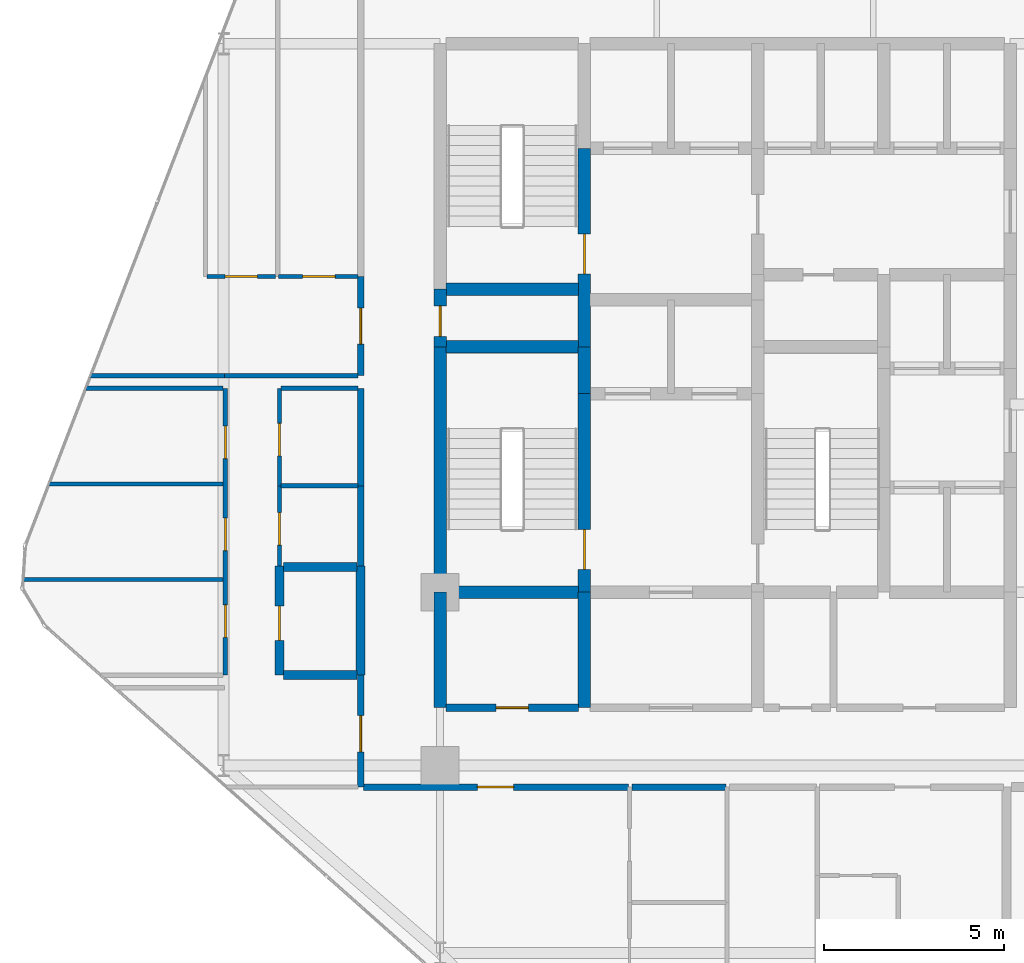
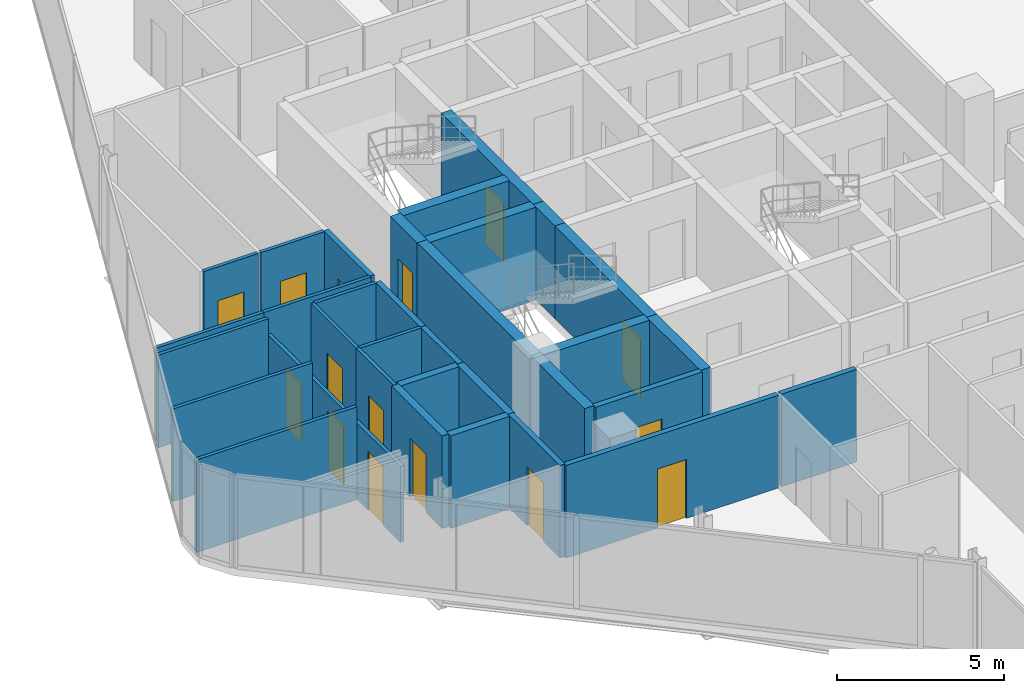
# One storey, part 24 of 30: 33 walls, 15 doors, 15 openings.
"""IFC4 building model written with IfcOpenShell, lengths in metres."""

from ifc_helpers import new_model, si_unit, direction, frame, frame_2d, origin, place, context, subcontext, project, spatial, rectangle, extrude, material, layer, layer_set, type_object, element, fill, save


model = new_model("IFC4")

# Units and contexts
model_context = context("Model", 3, precision=1e-05, world=origin(), true_north=direction((0.0, 1.0)))
body_context = subcontext(model_context, "Body", "Model", "MODEL_VIEW")
ifc_project = project(units=[si_unit("LENGTHUNIT", "METRE"), si_unit("AREAUNIT", "SQUARE_METRE"), si_unit("VOLUMEUNIT", "CUBIC_METRE"), si_unit("PLANEANGLEUNIT", "RADIAN"), si_unit("MASSUNIT", "GRAM", prefix="KILO")], contexts=[model_context])

# Site, building, storey
site_placement = place(None, origin())
site = spatial("IfcSite", under=ifc_project, at=site_placement, CompositionType="ELEMENT")
building_placement = place(site_placement, origin())
building = spatial("IfcBuilding", under=site, at=building_placement, Name="Keshet Zoharim Tower", CompositionType="ELEMENT")
storey_placement = place(building_placement, frame((0.0, 0.0, 90.89990234375)))
storey = spatial("IfcBuildingStorey", under=building, at=storey_placement, Name="L21", CompositionType="ELEMENT", Elevation=90.89990234375)

# Walls
ifc_material_1 = material(Name="Concrete C60/75", Category="concrete")
ifc_layer_1 = layer(ifc_material_1, 0.35009765625)
ifc_layer_set_1 = layer_set([ifc_layer_1], Name="Concrete C60/75")
wall_type_1 = type_object("IfcWallType", Name="WL-CORE-350", PredefinedType="SHEAR", material=ifc_layer_set_1)
wall_1_placement = place(storey_placement, frame((15.0, 19.5, 0.0), z_axis=(0.0, 0.0, 1.0), x_axis=(0.0, 1.0, 0.0)))
element("IfcWall", 1, at=wall_1_placement, inside=storey, type_object=wall_type_1, Name="L21 Core Shear Wall 015", PredefinedType="SHEAR", context=body_context, shape_type="SweptSolid", body=[
    extrude(rectangle(XDim=3.199951171875, YDim=0.35009765625, at=frame_2d((1.60009765625, 0.0))), origin(), (0.0, 0.0, 1.0), 3.385009765625),
])
wall_2_placement = place(storey_placement, frame((15.0, 22.699951171875, 0.0), z_axis=(0.0, 0.0, 1.0), x_axis=(0.0, 1.0, 0.0)))
element("IfcWall", 2, at=wall_2_placement, inside=storey, type_object=wall_type_1, Name="L21 Core Shear Wall 016", PredefinedType="SHEAR", context=body_context, shape_type="SweptSolid", body=[
    extrude(rectangle(XDim=6.800048828125, YDim=0.35009765625, at=frame_2d((3.39990234375, 0.0))), origin(), (0.0, 0.0, 1.0), 3.385009765625),
])

# Wall, opening, door
wall_3_placement = place(storey_placement, frame((15.0, 29.5, 0.0), z_axis=(0.0, 0.0, 1.0), x_axis=(0.0, 1.0, 0.0)))
wall_3 = element("IfcWall", 3, at=wall_3_placement, inside=storey, type_object=wall_type_1, Name="L21 Core Shear Wall 017", PredefinedType="SHEAR", context=body_context, shape_type="SweptSolid", body=[
    extrude(rectangle(XDim=1.60009765625, YDim=0.35009765625, at=frame_2d((0.800048828125, 0.0))), origin(), (0.0, 0.0, 1.0), 3.385009765625),
])
opening_1_placement = place(wall_3_placement, frame((0.287109375, 0.0, 0.0)))
opening_1 = element("IfcOpeningElement", 4, at=opening_1_placement, cuts=wall_3, Name="Opening D-RS85", PredefinedType="OPENING", context=body_context, shape_type="SweptSolid", body=[
    extrude(rectangle(XDim=0.85009765625, YDim=2.10009765625, at=frame_2d((0.425048828125, 1.050048828125))), frame((0.0, 0.18505859375, 0.0), z_axis=(0.0, -1.0, 0.0), x_axis=(1.0, 0.0, 0.0)), (0.0, 0.0, 1.0), 0.3701171875),
])
ifc_material_2 = material(Name="Hardwood Timber", Category="wood")
door_type_1 = type_object("IfcDoorType", Name="DR-RIS-085", OperationType="NOTDEFINED", PredefinedType="DOOR", material=ifc_material_2)
door_1_placement = place(opening_1_placement, origin())
door_1 = element("IfcDoor", 5, at=door_1_placement, inside=storey, type_object=door_type_1, Name="L21 Electrical Riser Access Cupboard Door", OperationType="SINGLE_SWING_RIGHT", OverallHeight=2.10009765625, OverallWidth=0.85009765625, PredefinedType="DOOR", context=body_context, shape_type="SweptSolid", body=[
    extrude(rectangle(XDim=0.85009765625, YDim=2.10009765625, at=frame_2d((0.425048828125, 1.050048828125))), frame((0.0, 0.02490234375, 0.0), z_axis=(0.0, -1.0, 0.0), x_axis=(1.0, 0.0, 0.0)), (0.0, 0.0, 1.0), 0.050048828125),
])
fill(opening_1, door_1)

# Wall
wall_4_placement = place(storey_placement, frame((19.0, 19.5, 0.0), z_axis=(0.0, 0.0, 1.0), x_axis=(0.0, 1.0, 0.0)))
element("IfcWall", 6, at=wall_4_placement, inside=storey, type_object=wall_type_1, Name="L21 Core Shear Wall 021", PredefinedType="SHEAR", context=body_context, shape_type="SweptSolid", body=[
    extrude(rectangle(XDim=3.199951171875, YDim=0.35009765625, at=frame_2d((1.60009765625, 0.0))), origin(), (0.0, 0.0, 1.0), 3.385009765625),
])

# Wall, opening, door
wall_5_placement = place(storey_placement, frame((19.0, 22.699951171875, 0.0), z_axis=(0.0, 0.0, 1.0), x_axis=(0.0, 1.0, 0.0)))
wall_5 = element("IfcWall", 7, at=wall_5_placement, inside=storey, type_object=wall_type_1, Name="L21 Core Shear Wall 022", PredefinedType="SHEAR", context=body_context, shape_type="SweptSolid", body=[
    extrude(rectangle(XDim=5.5, YDim=0.35009765625, at=frame_2d((2.75, 0.0))), origin(), (0.0, 0.0, 1.0), 3.385009765625),
])
opening_2_placement = place(wall_5_placement, frame((0.631103515625, 0.0, 0.0)))
opening_2 = element("IfcOpeningElement", 8, at=opening_2_placement, cuts=wall_5, Name="Opening D-F611", PredefinedType="OPENING", context=body_context, shape_type="SweptSolid", body=[
    extrude(rectangle(XDim=1.10009765625, YDim=2.14990234375, at=frame_2d((0.550048828125, 1.074951171875))), frame((0.0, 0.18505859375, 0.0), z_axis=(0.0, -1.0, 0.0), x_axis=(1.0, 0.0, 0.0)), (0.0, 0.0, 1.0), 0.3701171875),
])
door_type_2 = type_object("IfcDoorType", Name="DR-FD60-110", OperationType="NOTDEFINED", PredefinedType="DOOR", material=ifc_material_2)
door_2_placement = place(opening_2_placement, origin())
door_2 = element("IfcDoor", 9, at=door_2_placement, inside=storey, type_object=door_type_2, Name="L21 Exit Stair ST-01 Fire Door", OperationType="SINGLE_SWING_LEFT", OverallHeight=2.14990234375, OverallWidth=1.10009765625, PredefinedType="DOOR", context=body_context, shape_type="SweptSolid", body=[
    extrude(rectangle(XDim=1.10009765625, YDim=2.14990234375, at=frame_2d((0.550048828125, 1.074951171875))), frame((0.0, 0.02490234375, 0.0), z_axis=(0.0, -1.0, 0.0), x_axis=(1.0, 0.0, 0.0)), (0.0, 0.0, 1.0), 0.050048828125),
])
fill(opening_2, door_2)

# Wall
wall_6_placement = place(storey_placement, frame((19.0, 28.199951171875, 0.0), z_axis=(0.0, 0.0, 1.0), x_axis=(0.0, 1.0, 0.0)))
element("IfcWall", 10, at=wall_6_placement, inside=storey, type_object=wall_type_1, Name="L21 Core Shear Wall 023", PredefinedType="SHEAR", context=body_context, shape_type="SweptSolid", body=[
    extrude(rectangle(XDim=1.300048828125, YDim=0.35009765625, at=frame_2d((0.64990234375, 0.0))), origin(), (0.0, 0.0, 1.0), 3.385009765625),
])

# Wall, opening, door
wall_7_placement = place(storey_placement, frame((19.0, 29.5, 0.0), z_axis=(0.0, 0.0, 1.0), x_axis=(0.0, 1.0, 0.0)))
wall_7 = element("IfcWall", 11, at=wall_7_placement, inside=storey, type_object=wall_type_1, Name="L21 Core Shear Wall 024", PredefinedType="SHEAR", context=body_context, shape_type="SweptSolid", body=[
    extrude(rectangle(XDim=5.5, YDim=0.35009765625, at=frame_2d((2.75, 0.0))), origin(), (0.0, 0.0, 1.0), 3.385009765625),
])
opening_3_placement = place(wall_7_placement, frame((2.02490234375, 0.0, 0.0)))
opening_3 = element("IfcOpeningElement", 12, at=opening_3_placement, cuts=wall_7, Name="Opening D-F611", PredefinedType="OPENING", context=body_context, shape_type="SweptSolid", body=[
    extrude(rectangle(XDim=1.10009765625, YDim=2.14990234375, at=frame_2d((0.550048828125, 1.074951171875))), frame((0.0, 0.18505859375, 0.0), z_axis=(0.0, -1.0, 0.0), x_axis=(1.0, 0.0, 0.0)), (0.0, 0.0, 1.0), 0.3701171875),
])
door_3_placement = place(opening_3_placement, origin())
door_3 = element("IfcDoor", 13, at=door_3_placement, inside=storey, type_object=door_type_2, Name="L21 Exit Stair ST-02 Fire Door", OperationType="SINGLE_SWING_RIGHT", OverallHeight=2.14990234375, OverallWidth=1.10009765625, PredefinedType="DOOR", context=body_context, shape_type="SweptSolid", body=[
    extrude(rectangle(XDim=1.10009765625, YDim=2.14990234375, at=frame_2d((0.550048828125, 1.074951171875))), frame((0.0, 0.02490234375, 0.0), z_axis=(0.0, -1.0, 0.0), x_axis=(1.0, 0.0, 0.0)), (0.0, 0.0, 1.0), 0.050048828125),
])
fill(opening_3, door_3)

# Walls
for number, where, z_axis, x_axis, name in (
    (14, (15.159912109375, 22.699951171875, 0.0), (0.0, 0.0, 1.0), (1.0, 0.0, 0.0), "L21 Core Shear Wall 150"),
    (15, (15.159912109375, 29.5, 0.0), (0.0, 0.0, 1.0), (1.0, 0.0, 0.0), "L21 Core Shear Wall 168"),
    (16, (15.159912109375, 31.10009765625, 0.0), (0.0, 0.0, 1.0), (1.0, 0.0, 0.0), "L21 Core Shear Wall 171"),
):
    element("IfcWall", number, at=place(storey_placement, frame(where, z_axis=z_axis, x_axis=x_axis)), inside=storey, type_object=wall_type_1, Name=name, PredefinedType="SHEAR", context=body_context, shape_type="SweptSolid", body=[
        extrude(rectangle(XDim=3.68017578125, YDim=0.35009765625, at=frame_2d((1.840087890625, 0.0))), origin(), (0.0, 0.0, 1.0), 3.385009765625),
    ])

# Wall, opening, door
ifc_material_3 = material(Name="Gypsum Plasterboard", Category="gypsum")
ifc_layer_2 = layer(ifc_material_3, 0.179931640625)
ifc_layer_set_2 = layer_set([ifc_layer_2], Name="Gypsum Plasterboard")
wall_type_2 = type_object("IfcWallType", Name="WL-CORR-180", PredefinedType="STANDARD", material=ifc_layer_set_2)
wall_8_placement = place(storey_placement, frame((12.800048828125, 17.300048828125, 0.0), z_axis=(0.0, 0.0, 1.0), x_axis=(0.0, 1.0, 0.0)))
wall_8 = element("IfcWall", 17, at=wall_8_placement, inside=storey, type_object=wall_type_2, Name="L21 Interior Wall 007", PredefinedType="STANDARD", context=body_context, shape_type="SweptSolid", body=[
    extrude(rectangle(XDim=3.099853515625, YDim=0.179931640625, at=frame_2d((1.5498046875, 0.0))), origin(), (0.0, 0.0, 1.0), 3.385009765625),
])
opening_4_placement = place(wall_8_placement, frame((0.97802734375, 0.0, 0.0)))
opening_4 = element("IfcOpeningElement", 18, at=opening_4_placement, cuts=wall_8, Name="Opening D-F310", PredefinedType="OPENING", context=body_context, shape_type="SweptSolid", body=[
    extrude(rectangle(XDim=1.0, YDim=2.14990234375, at=frame_2d((0.5, 1.074951171875))), frame((0.0, 0.10009765625, 0.0), z_axis=(0.0, -1.0, 0.0), x_axis=(1.0, 0.0, 0.0)), (0.0, 0.0, 1.0), 0.199951171875),
])
door_type_3 = type_object("IfcDoorType", Name="DR-FD30-100", OperationType="NOTDEFINED", PredefinedType="DOOR", material=ifc_material_2)
door_4_placement = place(opening_4_placement, origin())
door_4 = element("IfcDoor", 19, at=door_4_placement, inside=storey, type_object=door_type_3, Name="Apartment 2108 Entrance Door", OperationType="SINGLE_SWING_RIGHT", OverallHeight=2.14990234375, OverallWidth=1.0, PredefinedType="DOOR", context=body_context, shape_type="SweptSolid", body=[
    extrude(rectangle(XDim=1.0, YDim=2.14990234375, at=frame_2d((0.5, 1.074951171875))), frame((0.0, 0.02490234375, 0.0), z_axis=(0.0, -1.0, 0.0), x_axis=(1.0, 0.0, 0.0)), (0.0, 0.0, 1.0), 0.050048828125),
])
fill(opening_4, door_4)

# Walls
wall_9_placement = place(storey_placement, frame((12.800048828125, 23.4208984375, 0.0), z_axis=(0.0, 0.0, 1.0), x_axis=(0.0, 1.0, 0.0)))
element("IfcWall", 20, at=wall_9_placement, inside=storey, type_object=wall_type_2, Name="L21 Interior Wall 009", PredefinedType="STANDARD", context=body_context, shape_type="SweptSolid", body=[
    extrude(rectangle(XDim=2.22607421875, YDim=0.179931640625, at=frame_2d((1.113037109375, 0.0))), origin(), (0.0, 0.0, 1.0), 3.385009765625),
])
wall_10_placement = place(storey_placement, frame((12.800048828125, 25.64697265625, 0.0), z_axis=(0.0, 0.0, 1.0), x_axis=(0.0, 1.0, 0.0)))
element("IfcWall", 21, at=wall_10_placement, inside=storey, type_object=wall_type_2, Name="L21 Interior Wall 010", PredefinedType="STANDARD", context=body_context, shape_type="SweptSolid", body=[
    extrude(rectangle(XDim=2.703125, YDim=0.179931640625, at=frame_2d((1.3515625, 0.0))), origin(), (0.0, 0.0, 1.0), 3.385009765625),
])

# Wall, opening, door
wall_11_placement = place(storey_placement, frame((12.800048828125, 28.699951171875, 0.0), z_axis=(0.0, 0.0, 1.0), x_axis=(0.0, 1.0, 0.0)))
wall_11 = element("IfcWall", 22, at=wall_11_placement, inside=storey, type_object=wall_type_2, Name="L21 Interior Wall 011", PredefinedType="STANDARD", context=body_context, shape_type="SweptSolid", body=[
    extrude(rectangle(XDim=2.75, YDim=0.179931640625, at=frame_2d((1.375, 0.0))), origin(), (0.0, 0.0, 1.0), 3.385009765625),
])
opening_5_placement = place(wall_11_placement, frame((0.875, 0.0, 0.0)))
opening_5 = element("IfcOpeningElement", 23, at=opening_5_placement, cuts=wall_11, Name="Opening D-F310", PredefinedType="OPENING", context=body_context, shape_type="SweptSolid", body=[
    extrude(rectangle(XDim=1.0, YDim=2.14990234375, at=frame_2d((0.5, 1.074951171875))), frame((0.0, 0.10009765625, 0.0), z_axis=(0.0, -1.0, 0.0), x_axis=(1.0, 0.0, 0.0)), (0.0, 0.0, 1.0), 0.199951171875),
])
door_5_placement = place(opening_5_placement, origin())
door_5 = element("IfcDoor", 24, at=door_5_placement, inside=storey, type_object=door_type_3, Name="Apartment 2109 Entrance Door", OperationType="SINGLE_SWING_LEFT", OverallHeight=2.14990234375, OverallWidth=1.0, PredefinedType="DOOR", context=body_context, shape_type="SweptSolid", body=[
    extrude(rectangle(XDim=1.0, YDim=2.14990234375, at=frame_2d((0.5, 1.074951171875))), frame((0.0, 0.02490234375, 0.0), z_axis=(0.0, -1.0, 0.0), x_axis=(1.0, 0.0, 0.0)), (0.0, 0.0, 1.0), 0.050048828125),
])
fill(opening_5, door_5)

wall_12_placement = place(storey_placement, frame((12.875, 17.300048828125, 0.0), z_axis=(0.0, 0.0, 1.0), x_axis=(1.0, 0.0, 0.0)))
wall_12 = element("IfcWall", 25, at=wall_12_placement, inside=storey, type_object=wall_type_2, Name="L21 Interior Wall 129", PredefinedType="STANDARD", context=body_context, shape_type="SweptSolid", body=[
    extrude(rectangle(XDim=7.35009765625, YDim=0.179931640625, at=frame_2d((3.675048828125, 0.0))), origin(), (0.0, 0.0, 1.0), 3.385009765625),
])
opening_6_placement = place(wall_12_placement, frame((3.159912109375, 0.0, 0.0)))
opening_6 = element("IfcOpeningElement", 26, at=opening_6_placement, cuts=wall_12, Name="Opening D-F310", PredefinedType="OPENING", context=body_context, shape_type="SweptSolid", body=[
    extrude(rectangle(XDim=1.0, YDim=2.14990234375, at=frame_2d((0.5, 1.074951171875))), frame((0.0, 0.10009765625, 0.0), z_axis=(0.0, -1.0, 0.0), x_axis=(1.0, 0.0, 0.0)), (0.0, 0.0, 1.0), 0.199951171875),
])
door_6_placement = place(opening_6_placement, origin())
door_6 = element("IfcDoor", 27, at=door_6_placement, inside=storey, type_object=door_type_3, Name="Apartment 2101 Entrance Door", OperationType="SINGLE_SWING_LEFT", OverallHeight=2.14990234375, OverallWidth=1.0, PredefinedType="DOOR", context=body_context, shape_type="SweptSolid", body=[
    extrude(rectangle(XDim=1.0, YDim=2.14990234375, at=frame_2d((0.5, 1.074951171875))), frame((0.0, 0.02490234375, 0.0), z_axis=(0.0, -1.0, 0.0), x_axis=(1.0, 0.0, 0.0)), (0.0, 0.0, 1.0), 0.050048828125),
])
fill(opening_6, door_6)

# Wall
wall_13_placement = place(storey_placement, frame((20.31494140625, 17.300048828125, 0.0), z_axis=(0.0, 0.0, 1.0), x_axis=(1.0, 0.0, 0.0)))
element("IfcWall", 28, at=wall_13_placement, inside=storey, type_object=wall_type_2, Name="L21 Interior Wall 130", PredefinedType="STANDARD", context=body_context, shape_type="SweptSolid", body=[
    extrude(rectangle(XDim=2.610107421875, YDim=0.179931640625, at=frame_2d((1.30517578125, 0.0))), origin(), (0.0, 0.0, 1.0), 3.385009765625),
])

# Wall, opening, door
ifc_material_4 = material(Name="Concrete C50/60", Category="concrete")
ifc_layer_3 = layer(ifc_material_4, 0.199951171875)
ifc_layer_set_3 = layer_set([ifc_layer_3], Name="Concrete C50/60")
wall_type_3 = type_object("IfcWallType", Name="WL-FIRE-200", PredefinedType="STANDARD", material=ifc_layer_set_3)
wall_14_placement = place(storey_placement, frame((15.159912109375, 19.5, 0.0), z_axis=(0.0, 0.0, 1.0), x_axis=(1.0, 0.0, 0.0)))
wall_14 = element("IfcWall", 29, at=wall_14_placement, inside=storey, type_object=wall_type_3, Name="L21 Interior Wall 142", PredefinedType="STANDARD", context=body_context, shape_type="SweptSolid", body=[
    extrude(rectangle(XDim=3.68017578125, YDim=0.199951171875, at=frame_2d((1.840087890625, 0.0))), origin(), (0.0, 0.0, 1.0), 3.385009765625),
])
opening_7_placement = place(wall_14_placement, frame((1.389892578125, 0.0, 0.0)))
opening_7 = element("IfcOpeningElement", 30, at=opening_7_placement, cuts=wall_14, Name="Opening D-F690", PredefinedType="OPENING", context=body_context, shape_type="SweptSolid", body=[
    extrude(rectangle(XDim=0.89990234375, YDim=2.14990234375, at=frame_2d((0.449951171875, 1.074951171875))), frame((0.0, 0.10986328125, 0.0), z_axis=(0.0, -1.0, 0.0), x_axis=(1.0, 0.0, 0.0)), (0.0, 0.0, 1.0), 0.219970703125),
])
door_type_4 = type_object("IfcDoorType", Name="DR-FD60-090", OperationType="NOTDEFINED", PredefinedType="DOOR", material=ifc_material_2)
door_7_placement = place(opening_7_placement, origin())
door_7 = element("IfcDoor", 31, at=door_7_placement, inside=storey, type_object=door_type_4, Name="L21 Refuse Room Door", OperationType="SINGLE_SWING_RIGHT", OverallHeight=2.14990234375, OverallWidth=0.89990234375, PredefinedType="DOOR", context=body_context, shape_type="SweptSolid", body=[
    extrude(rectangle(XDim=0.89990234375, YDim=2.14990234375, at=frame_2d((0.449951171875, 1.074951171875))), frame((0.0, 0.02490234375, 0.0), z_axis=(0.0, -1.0, 0.0), x_axis=(1.0, 0.0, 0.0)), (0.0, 0.0, 1.0), 0.050048828125),
])
fill(opening_7, door_7)

ifc_layer_4 = layer(ifc_material_4, 0.25)
ifc_layer_set_4 = layer_set([ifc_layer_4], Name="Concrete C50/60")
wall_type_4 = type_object("IfcWallType", Name="WL-MAMAD-250", PredefinedType="STANDARD", material=ifc_layer_set_4)
wall_15_placement = place(storey_placement, frame((10.550048828125, 20.39990234375, 0.0), z_axis=(0.0, 0.0, 1.0), x_axis=(0.0, 1.0, 0.0)))
wall_15 = element("IfcWall", 32, at=wall_15_placement, inside=storey, type_object=wall_type_4, Name="L21 Interior Wall 004", PredefinedType="STANDARD", context=body_context, shape_type="SweptSolid", body=[
    extrude(rectangle(XDim=3.02099609375, YDim=0.25, at=frame_2d((1.510498046875, 0.0))), origin(), (0.0, 0.0, 1.0), 3.385009765625),
])
opening_8_placement = place(wall_15_placement, frame((0.964111328125, 0.0, 0.0)))
opening_8 = element("IfcOpeningElement", 33, at=opening_8_placement, cuts=wall_15, Name="Opening D-F695", PredefinedType="OPENING", context=body_context, shape_type="SweptSolid", body=[
    extrude(rectangle(XDim=0.949951171875, YDim=2.14990234375, at=frame_2d((0.47509765625, 1.074951171875))), frame((0.0, 0.135009765625, 0.0), z_axis=(0.0, -1.0, 0.0), x_axis=(1.0, 0.0, 0.0)), (0.0, 0.0, 1.0), 0.27001953125),
])
door_type_5 = type_object("IfcDoorType", Name="DR-FD60-095", OperationType="NOTDEFINED", PredefinedType="DOOR", material=ifc_material_2)
door_8_placement = place(opening_8_placement, origin())
door_8 = element("IfcDoor", 34, at=door_8_placement, inside=storey, type_object=door_type_5, Name="Apartment 2108 Study and Shelter Room Door", OperationType="SINGLE_SWING_LEFT", OverallHeight=2.14990234375, OverallWidth=0.949951171875, PredefinedType="DOOR", context=body_context, shape_type="SweptSolid", body=[
    extrude(rectangle(XDim=0.949951171875, YDim=2.14990234375, at=frame_2d((0.47509765625, 1.074951171875))), frame((0.0, 0.02490234375, 0.0), z_axis=(0.0, -1.0, 0.0), x_axis=(1.0, 0.0, 0.0)), (0.0, 0.0, 1.0), 0.050048828125),
])
fill(opening_8, door_8)

# Walls
wall_16_placement = place(storey_placement, frame((12.800048828125, 20.39990234375, 0.0), z_axis=(0.0, 0.0, 1.0), x_axis=(0.0, 1.0, 0.0)))
element("IfcWall", 35, at=wall_16_placement, inside=storey, type_object=wall_type_4, Name="L21 Interior Wall 008", PredefinedType="STANDARD", context=body_context, shape_type="SweptSolid", body=[
    extrude(rectangle(XDim=3.02099609375, YDim=0.25, at=frame_2d((1.510498046875, 0.0))), origin(), (0.0, 0.0, 1.0), 3.385009765625),
])
for number, where, z_axis, x_axis, name in (
    (36, (10.659912109375, 20.39990234375, 0.0), (0.0, 0.0, 1.0), (1.0, 0.0, 0.0), "L21 Interior Wall 149"),
    (37, (10.659912109375, 23.39990234375, 0.0), (0.0, 0.0, 1.0), (1.0, 0.0, 0.0), "L21 Interior Wall 156"),
):
    element("IfcWall", number, at=place(storey_placement, frame(where, z_axis=z_axis, x_axis=x_axis)), inside=storey, type_object=wall_type_4, Name=name, PredefinedType="STANDARD", context=body_context, shape_type="SweptSolid", body=[
        extrude(rectangle(XDim=2.030029296875, YDim=0.25, at=frame_2d((1.01513671875, 0.0))), origin(), (0.0, 0.0, 1.0), 3.385009765625),
    ])

# Wall, openings, doors
ifc_layer_5 = layer(ifc_material_3, 0.1201171875)
ifc_layer_set_5 = layer_set([ifc_layer_5], Name="Gypsum Plasterboard")
wall_type_5 = type_object("IfcWallType", Name="WL-PART-120", PredefinedType="PARTITIONING", material=ifc_layer_set_5)
wall_17_placement = place(storey_placement, frame((9.050048828125, 20.39990234375, 0.0), z_axis=(0.0, 0.0, 1.0), x_axis=(0.0, 1.0, 0.0)))
wall_17 = element("IfcWall", 38, at=wall_17_placement, inside=storey, type_object=wall_type_5, Name="L21 Interior Wall 002", PredefinedType="PARTITIONING", context=body_context, shape_type="SweptSolid", body=[
    extrude(rectangle(XDim=7.9501953125, YDim=0.1201171875, at=frame_2d((3.97509765625, 0.0))), origin(), (0.0, 0.0, 1.0), 2.78515625),
])
opening_9_placement = place(wall_17_placement, frame((1.050048828125, 0.0, 0.0)))
opening_9 = element("IfcOpeningElement", 39, at=opening_9_placement, cuts=wall_17, Name="Opening D-IN90", PredefinedType="OPENING", context=body_context, shape_type="SweptSolid", body=[
    extrude(rectangle(XDim=0.89990234375, YDim=2.14990234375, at=frame_2d((0.449951171875, 1.074951171875))), frame((0.0, 0.070068359375, 0.0), z_axis=(0.0, -1.0, 0.0), x_axis=(1.0, 0.0, 0.0)), (0.0, 0.0, 1.0), 0.14013671875),
])
opening_10_placement = place(wall_17_placement, frame((3.455078125, 0.0, 0.0)))
opening_10 = element("IfcOpeningElement", 40, at=opening_10_placement, cuts=wall_17, Name="Opening D-IN90", PredefinedType="OPENING", context=body_context, shape_type="SweptSolid", body=[
    extrude(rectangle(XDim=0.89990234375, YDim=2.14990234375, at=frame_2d((0.449951171875, 1.074951171875))), frame((0.0, 0.070068359375, 0.0), z_axis=(0.0, -1.0, 0.0), x_axis=(1.0, 0.0, 0.0)), (0.0, 0.0, 1.0), 0.14013671875),
])
opening_11_placement = place(wall_17_placement, frame((6.0, 0.0, 0.0)))
opening_11 = element("IfcOpeningElement", 41, at=opening_11_placement, cuts=wall_17, Name="Opening D-IN90", PredefinedType="OPENING", context=body_context, shape_type="SweptSolid", body=[
    extrude(rectangle(XDim=0.89990234375, YDim=2.14990234375, at=frame_2d((0.449951171875, 1.074951171875))), frame((0.0, 0.070068359375, 0.0), z_axis=(0.0, -1.0, 0.0), x_axis=(1.0, 0.0, 0.0)), (0.0, 0.0, 1.0), 0.14013671875),
])
door_type_6 = type_object("IfcDoorType", Name="DR-INT-090", OperationType="NOTDEFINED", PredefinedType="DOOR", material=ifc_material_2)
door_9_placement = place(opening_9_placement, origin())
door_9 = element("IfcDoor", 42, at=door_9_placement, inside=storey, type_object=door_type_6, Name="Apartment 2108 Bedroom 1 Door", OperationType="SINGLE_SWING_RIGHT", OverallHeight=2.14990234375, OverallWidth=0.89990234375, PredefinedType="DOOR", context=body_context, shape_type="SweptSolid", body=[
    extrude(rectangle(XDim=0.89990234375, YDim=2.14990234375, at=frame_2d((0.449951171875, 1.074951171875))), frame((0.0, 0.02490234375, 0.0), z_axis=(0.0, -1.0, 0.0), x_axis=(1.0, 0.0, 0.0)), (0.0, 0.0, 1.0), 0.050048828125),
])
fill(opening_9, door_9)
door_10_placement = place(opening_10_placement, origin())
door_10 = element("IfcDoor", 43, at=door_10_placement, inside=storey, type_object=door_type_6, Name="Apartment 2108 Bedroom 2 Door", OperationType="SINGLE_SWING_LEFT", OverallHeight=2.14990234375, OverallWidth=0.89990234375, PredefinedType="DOOR", context=body_context, shape_type="SweptSolid", body=[
    extrude(rectangle(XDim=0.89990234375, YDim=2.14990234375, at=frame_2d((0.449951171875, 1.074951171875))), frame((0.0, 0.02490234375, 0.0), z_axis=(0.0, -1.0, 0.0), x_axis=(1.0, 0.0, 0.0)), (0.0, 0.0, 1.0), 0.050048828125),
])
fill(opening_10, door_10)
door_11_placement = place(opening_11_placement, origin())
door_11 = element("IfcDoor", 44, at=door_11_placement, inside=storey, type_object=door_type_6, Name="Apartment 2108 Bedroom 3 Door", OperationType="SINGLE_SWING_RIGHT", OverallHeight=2.14990234375, OverallWidth=0.89990234375, PredefinedType="DOOR", context=body_context, shape_type="SweptSolid", body=[
    extrude(rectangle(XDim=0.89990234375, YDim=2.14990234375, at=frame_2d((0.449951171875, 1.074951171875))), frame((0.0, 0.02490234375, 0.0), z_axis=(0.0, -1.0, 0.0), x_axis=(1.0, 0.0, 0.0)), (0.0, 0.0, 1.0), 0.050048828125),
])
fill(opening_11, door_11)

# Wall, opening, door
wall_18_placement = place(storey_placement, frame((10.550048828125, 25.64697265625, 0.0), z_axis=(0.0, 0.0, 1.0), x_axis=(0.0, 1.0, 0.0)))
wall_18 = element("IfcWall", 45, at=wall_18_placement, inside=storey, type_object=wall_type_5, Name="L21 Interior Wall 006", PredefinedType="PARTITIONING", context=body_context, shape_type="SweptSolid", body=[
    extrude(rectangle(XDim=2.703125, YDim=0.1201171875, at=frame_2d((1.3515625, 0.0))), origin(), (0.0, 0.0, 1.0), 3.385009765625),
])
opening_12_placement = place(wall_18_placement, frame((0.830078125, 0.0, 0.0)))
opening_12 = element("IfcOpeningElement", 46, at=opening_12_placement, cuts=wall_18, Name="Opening D-IN90", PredefinedType="OPENING", context=body_context, shape_type="SweptSolid", body=[
    extrude(rectangle(XDim=0.89990234375, YDim=2.14990234375, at=frame_2d((0.449951171875, 1.074951171875))), frame((0.0, 0.070068359375, 0.0), z_axis=(0.0, -1.0, 0.0), x_axis=(1.0, 0.0, 0.0)), (0.0, 0.0, 1.0), 0.14013671875),
])
door_12_placement = place(opening_12_placement, origin())
door_12 = element("IfcDoor", 47, at=door_12_placement, inside=storey, type_object=door_type_6, Name="Apartment 2108 Kitchen Door", OperationType="SINGLE_SWING_LEFT", OverallHeight=2.14990234375, OverallWidth=0.89990234375, PredefinedType="DOOR", context=body_context, shape_type="SweptSolid", body=[
    extrude(rectangle(XDim=0.89990234375, YDim=2.14990234375, at=frame_2d((0.449951171875, 1.074951171875))), frame((0.0, 0.02490234375, 0.0), z_axis=(0.0, -1.0, 0.0), x_axis=(1.0, 0.0, 0.0)), (0.0, 0.0, 1.0), 0.050048828125),
])
fill(opening_12, door_12)

# Walls
wall_19_placement = place(storey_placement, frame((3.446044921875, 23.050048828125, 0.0), z_axis=(0.0, 0.0, 1.0), x_axis=(1.0, 0.0, 0.0)))
element("IfcWall", 48, at=wall_19_placement, inside=storey, type_object=wall_type_5, Name="L21 Interior Wall 155", PredefinedType="PARTITIONING", context=body_context, shape_type="SweptSolid", body=[
    extrude(rectangle(XDim=5.5390625, YDim=0.1201171875, at=frame_2d((2.76953125, 0.0))), origin(), (0.0, 0.0, 1.0), 3.385009765625),
])
wall_20_placement = place(storey_placement, frame((4.1640625, 25.699951171875, 0.0), z_axis=(0.0, 0.0, 1.0), x_axis=(1.0, 0.0, 0.0)))
element("IfcWall", 49, at=wall_20_placement, inside=storey, type_object=wall_type_5, Name="L21 Interior Wall 159", PredefinedType="PARTITIONING", context=body_context, shape_type="SweptSolid", body=[
    extrude(rectangle(XDim=4.821044921875, YDim=0.1201171875, at=frame_2d((2.41064453125, 0.0))), origin(), (0.0, 0.0, 1.0), 3.385009765625),
])
wall_21_placement = place(storey_placement, frame((5.18310546875, 28.35009765625, 0.0), z_axis=(0.0, 0.0, 1.0), x_axis=(1.0, 0.0, 0.0)))
element("IfcWall", 50, at=wall_21_placement, inside=storey, type_object=wall_type_5, Name="L21 Interior Wall 163", PredefinedType="PARTITIONING", context=body_context, shape_type="SweptSolid", body=[
    extrude(rectangle(XDim=3.802001953125, YDim=0.1201171875, at=frame_2d((1.90087890625, 0.0))), origin(), (0.0, 0.0, 1.0), 3.385009765625),
])
wall_22_placement = place(storey_placement, frame((10.594970703125, 28.35009765625, 0.0), z_axis=(0.0, 0.0, 1.0), x_axis=(1.0, 0.0, 0.0)))
element("IfcWall", 51, at=wall_22_placement, inside=storey, type_object=wall_type_5, Name="L21 Interior Wall 164", PredefinedType="PARTITIONING", context=body_context, shape_type="SweptSolid", body=[
    extrude(rectangle(XDim=2.130126953125, YDim=0.1201171875, at=frame_2d((1.06494140625, 0.0))), origin(), (0.0, 0.0, 1.0), 3.385009765625),
])
wall_23_placement = place(storey_placement, frame((5.31689453125, 28.699951171875, 0.0), z_axis=(0.0, 0.0, 1.0), x_axis=(1.0, 0.0, 0.0)))
element("IfcWall", 52, at=wall_23_placement, inside=storey, type_object=wall_type_5, Name="L21 Interior Wall 165", PredefinedType="PARTITIONING", context=body_context, shape_type="SweptSolid", body=[
    extrude(rectangle(XDim=3.713134765625, YDim=0.1201171875, at=frame_2d((1.8564453125, 0.0))), origin(), (0.0, 0.0, 1.0), 3.385009765625),
])
wall_24_placement = place(storey_placement, frame((9.030029296875, 28.699951171875, 0.0), z_axis=(0.0, 0.0, 1.0), x_axis=(1.0, 0.0, 0.0)))
element("IfcWall", 53, at=wall_24_placement, inside=storey, type_object=wall_type_5, Name="L21 Interior Wall 166", PredefinedType="PARTITIONING", context=body_context, shape_type="SweptSolid", body=[
    extrude(rectangle(XDim=3.695068359375, YDim=0.1201171875, at=frame_2d((1.84765625, 0.0))), origin(), (0.0, 0.0, 1.0), 3.385009765625),
])

# Wall, opening, door
wall_25_placement = place(storey_placement, frame((8.544921875, 31.449951171875, 0.0), z_axis=(0.0, 0.0, 1.0), x_axis=(1.0, 0.0, 0.0)))
wall_25 = element("IfcWall", 54, at=wall_25_placement, inside=storey, type_object=wall_type_5, Name="L21 Interior Wall 172", PredefinedType="PARTITIONING", context=body_context, shape_type="SweptSolid", body=[
    extrude(rectangle(XDim=1.88818359375, YDim=0.1201171875, at=frame_2d((0.944091796875, 0.0))), origin(), (0.0, 0.0, 1.0), 3.385009765625),
])
opening_13_placement = place(wall_25_placement, frame((0.493896484375, 0.0, 0.0)))
opening_13 = element("IfcOpeningElement", 55, at=opening_13_placement, cuts=wall_25, Name="Opening D-IN90", PredefinedType="OPENING", context=body_context, shape_type="SweptSolid", body=[
    extrude(rectangle(XDim=0.89990234375, YDim=2.14990234375, at=frame_2d((0.449951171875, 1.074951171875))), frame((0.0, 0.070068359375, 0.0), z_axis=(0.0, -1.0, 0.0), x_axis=(1.0, 0.0, 0.0)), (0.0, 0.0, 1.0), 0.14013671875),
])
door_13_placement = place(opening_13_placement, origin())
door_13 = element("IfcDoor", 56, at=door_13_placement, inside=storey, type_object=door_type_6, Name="Apartment 2109 Kitchen Door", OperationType="SINGLE_SWING_RIGHT", OverallHeight=2.14990234375, OverallWidth=0.89990234375, PredefinedType="DOOR", context=body_context, shape_type="SweptSolid", body=[
    extrude(rectangle(XDim=0.89990234375, YDim=2.14990234375, at=frame_2d((0.449951171875, 1.074951171875))), frame((0.0, 0.02490234375, 0.0), z_axis=(0.0, -1.0, 0.0), x_axis=(1.0, 0.0, 0.0)), (0.0, 0.0, 1.0), 0.050048828125),
])
fill(opening_13, door_13)

ifc_layer_6 = layer(ifc_material_3, 0.1201171875)
ifc_layer_set_6 = layer_set([ifc_layer_6], Name="Gypsum Plasterboard")
wall_type_6 = type_object("IfcWallType", Name="WL-WET-120", PredefinedType="PARTITIONING", material=ifc_layer_set_6)
wall_26_placement = place(storey_placement, frame((10.550048828125, 23.4208984375, 0.0), z_axis=(0.0, 0.0, 1.0), x_axis=(0.0, 1.0, 0.0)))
wall_26 = element("IfcWall", 57, at=wall_26_placement, inside=storey, type_object=wall_type_6, Name="L21 Interior Wall 005", PredefinedType="PARTITIONING", context=body_context, shape_type="SweptSolid", body=[
    extrude(rectangle(XDim=2.22607421875, YDim=0.1201171875, at=frame_2d((1.113037109375, 0.0))), origin(), (0.0, 0.0, 1.0), 3.385009765625),
])
opening_14_placement = place(wall_26_placement, frame((0.583984375, 0.0, 0.0)))
opening_14 = element("IfcOpeningElement", 58, at=opening_14_placement, cuts=wall_26, Name="Opening D-WT90", PredefinedType="OPENING", context=body_context, shape_type="SweptSolid", body=[
    extrude(rectangle(XDim=0.89990234375, YDim=2.10009765625, at=frame_2d((0.449951171875, 1.050048828125))), frame((0.0, 0.070068359375, 0.0), z_axis=(0.0, -1.0, 0.0), x_axis=(1.0, 0.0, 0.0)), (0.0, 0.0, 1.0), 0.14013671875),
])
door_type_7 = type_object("IfcDoorType", Name="DR-WET-090", OperationType="NOTDEFINED", PredefinedType="DOOR", material=ifc_material_2)
door_14_placement = place(opening_14_placement, origin())
door_14 = element("IfcDoor", 59, at=door_14_placement, inside=storey, type_object=door_type_7, Name="Apartment 2108 Bathroom Door", OperationType="SINGLE_SWING_RIGHT", OverallHeight=2.10009765625, OverallWidth=0.89990234375, PredefinedType="DOOR", context=body_context, shape_type="SweptSolid", body=[
    extrude(rectangle(XDim=0.89990234375, YDim=2.10009765625, at=frame_2d((0.449951171875, 1.050048828125))), frame((0.0, 0.02490234375, 0.0), z_axis=(0.0, -1.0, 0.0), x_axis=(1.0, 0.0, 0.0)), (0.0, 0.0, 1.0), 0.050048828125),
])
fill(opening_14, door_14)

# Wall
wall_27_placement = place(storey_placement, frame((10.594970703125, 25.64990234375, 0.0), z_axis=(0.0, 0.0, 1.0), x_axis=(1.0, 0.0, 0.0)))
element("IfcWall", 60, at=wall_27_placement, inside=storey, type_object=wall_type_6, Name="L21 Interior Wall 158", PredefinedType="PARTITIONING", context=body_context, shape_type="SweptSolid", body=[
    extrude(rectangle(XDim=2.130126953125, YDim=0.1201171875, at=frame_2d((1.06494140625, 0.0))), origin(), (0.0, 0.0, 1.0), 3.385009765625),
])

# Wall, opening, door
wall_28_placement = place(storey_placement, frame((10.52294921875, 31.449951171875, 0.0), z_axis=(0.0, 0.0, 1.0), x_axis=(1.0, 0.0, 0.0)))
wall_28 = element("IfcWall", 61, at=wall_28_placement, inside=storey, type_object=wall_type_6, Name="L21 Interior Wall 173", PredefinedType="PARTITIONING", context=body_context, shape_type="SweptSolid", body=[
    extrude(rectangle(XDim=2.2021484375, YDim=0.1201171875, at=frame_2d((1.10107421875, 0.0))), origin(), (0.0, 0.0, 1.0), 3.385009765625),
])
opening_15_placement = place(wall_28_placement, frame((0.666015625, 0.0, 0.0)))
opening_15 = element("IfcOpeningElement", 62, at=opening_15_placement, cuts=wall_28, Name="Opening D-WT90", PredefinedType="OPENING", context=body_context, shape_type="SweptSolid", body=[
    extrude(rectangle(XDim=0.89990234375, YDim=2.10009765625, at=frame_2d((0.449951171875, 1.050048828125))), frame((0.0, 0.070068359375, 0.0), z_axis=(0.0, -1.0, 0.0), x_axis=(1.0, 0.0, 0.0)), (0.0, 0.0, 1.0), 0.14013671875),
])
door_15_placement = place(opening_15_placement, origin())
door_15 = element("IfcDoor", 63, at=door_15_placement, inside=storey, type_object=door_type_7, Name="Apartment 2109 Bathroom Door", OperationType="SINGLE_SWING_LEFT", OverallHeight=2.10009765625, OverallWidth=0.89990234375, PredefinedType="DOOR", context=body_context, shape_type="SweptSolid", body=[
    extrude(rectangle(XDim=0.89990234375, YDim=2.10009765625, at=frame_2d((0.449951171875, 1.050048828125))), frame((0.0, 0.02490234375, 0.0), z_axis=(0.0, -1.0, 0.0), x_axis=(1.0, 0.0, 0.0)), (0.0, 0.0, 1.0), 0.050048828125),
])
fill(opening_15, door_15)

save(model, "model.ifc")
